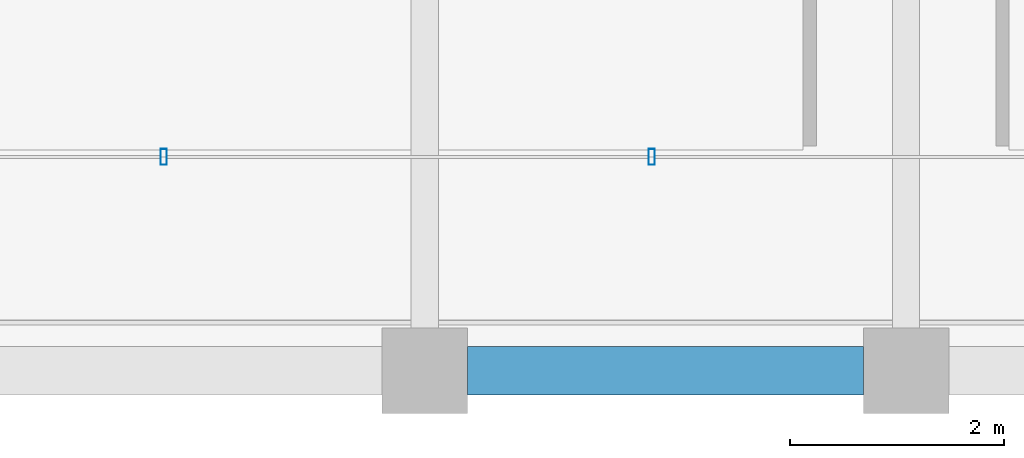
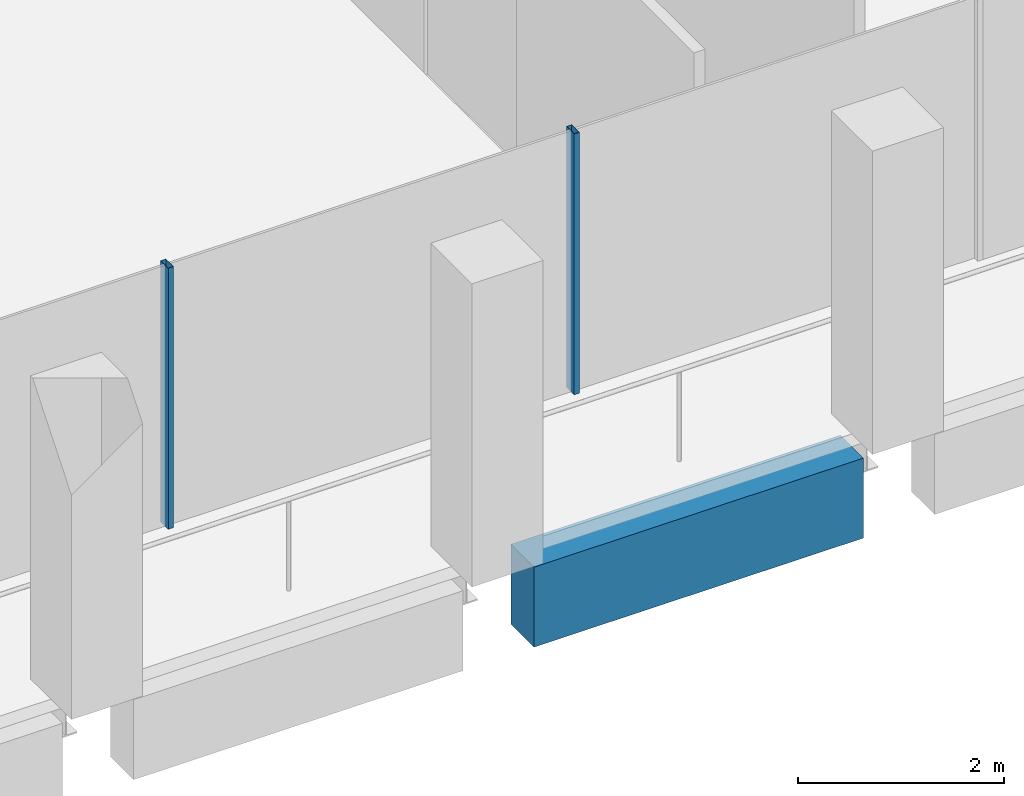
# One storey, part 5 of 62: 2 members, 1 beam, 1 element without a shape of its own.
"""IFC4 building model written with IfcOpenShell, lengths in metres."""

from ifc_helpers import new_model, si_unit, direction, frame, origin, origin_2d, place, context, subcontext, project, spatial, rectangle, hollow_rectangle, extrude, material, material_profile, profile_set, type_object, element, aggregate, save


model = new_model("IFC4")

# Units and contexts
model_context = context("Model", 3, precision=1e-05, world=origin(), true_north=direction((0.0, 1.0)))
body_context = subcontext(model_context, "Body", "Model", "MODEL_VIEW")
ifc_project = project(units=[si_unit("LENGTHUNIT", "METRE"), si_unit("AREAUNIT", "SQUARE_METRE"), si_unit("VOLUMEUNIT", "CUBIC_METRE"), si_unit("PLANEANGLEUNIT", "RADIAN"), si_unit("MASSUNIT", "GRAM", prefix="KILO")], contexts=[model_context])

# Site, building, storey
site_placement = place(None, origin())
site = spatial("IfcSite", under=ifc_project, at=site_placement, CompositionType="ELEMENT")
building_placement = place(site_placement, origin())
building = spatial("IfcBuilding", under=site, at=building_placement, Name="Altepetl Exchange Towers", CompositionType="ELEMENT")
storey_placement = place(building_placement, frame((0.0, 0.0, 210.0)))
storey = spatial("IfcBuildingStorey", under=building, at=storey_placement, Name="L53", CompositionType="ELEMENT", Elevation=210.0)

# Curtain wall, members
ifc_material_1 = material(Name="Aluminium 6063-T6 glazing", Category="aluminium")
curtain_wall_type = type_object("IfcCurtainWallType", Name="Loggia glazing system", PredefinedType="NOTDEFINED", material=ifc_material_1)
curtain_wall_placement = place(storey_placement, origin())
curtain_wall = element("IfcCurtainWall", 1, at=curtain_wall_placement, inside=storey, type_object=curtain_wall_type, Name="CW1 run", PredefinedType="NOTDEFINED")
ifc_material_2 = material(Name="Aluminium 6063-T6", Category="aluminium")
ifc_material_profile_1 = material_profile(ifc_material_2, hollow_rectangle(XDim=0.06005859375, YDim=0.14990234375, WallThickness=0.0029296875, at=origin_2d()), Name="Mullion 60x150 aluminium")
ifc_profile_set_1 = profile_set([ifc_material_profile_1], Name="Aluminium 6063-T6")
member_type = type_object("IfcMemberType", Name="Mullion 60x150 aluminium", PredefinedType="MULLION", material=ifc_profile_set_1)
member_1_placement = place(storey_placement, frame((38.060791015625, 29.0, 0.0)))
member_1 = element("IfcMember", 2, at=member_1_placement, type_object=member_type, Name="MU1 mullion", PredefinedType="MULLION", context=body_context, shape_type="SweptSolid", body=[
    extrude(hollow_rectangle(XDim=0.06005859375, YDim=0.14990234375, WallThickness=0.0029296875, at=origin_2d()), origin(), (0.0, 0.0, 1.0), 3.10009765625),
])
member_2_placement = place(storey_placement, frame((42.621337890625, 29.0, 0.0)))
member_2 = element("IfcMember", 3, at=member_2_placement, type_object=member_type, Name="MU1 mullion", PredefinedType="MULLION", context=body_context, shape_type="SweptSolid", body=[
    extrude(hollow_rectangle(XDim=0.06005859375, YDim=0.14990234375, WallThickness=0.0029296875, at=origin_2d()), origin(), (0.0, 0.0, 1.0), 3.10009765625),
])
aggregate(curtain_wall, [member_1, member_2])

# Beam
ifc_material_3 = material(Name="Concrete C50/60 precast with cantera blanca facing", Category="concrete")
ifc_material_profile_2 = material_profile(ifc_material_3, rectangle(XDim=0.449951171875, YDim=0.949951171875, at=origin_2d()), Name="450 x 950")
ifc_profile_set_2 = profile_set([ifc_material_profile_2], Name="Concrete C50/60 precast with cantera blanca facing")
beam_type = type_object("IfcBeamType", Name="Spandrel beam 450x950 cantera blanca", PredefinedType="SPANDREL", material=ifc_profile_set_2)
beam_placement = place(storey_placement, frame((40.89990234375, 27.0, -0.625), z_axis=(1.0, 0.0, 0.0), x_axis=(0.0, 1.0, 0.0)))
element("IfcBeam", 4, at=beam_placement, inside=storey, type_object=beam_type, Name="sp:A:L53:002", PredefinedType="SPANDREL", context=body_context, shape_type="SweptSolid", body=[
    extrude(rectangle(XDim=0.449951171875, YDim=0.949951171875, at=origin_2d()), origin(), (0.0, 0.0, 1.0), 3.7001953125),
])

save(model, "model.ifc")
